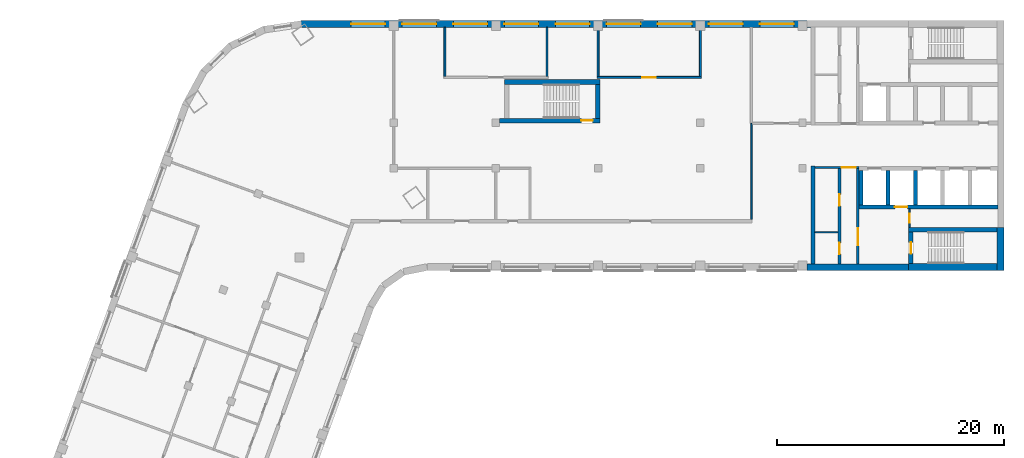
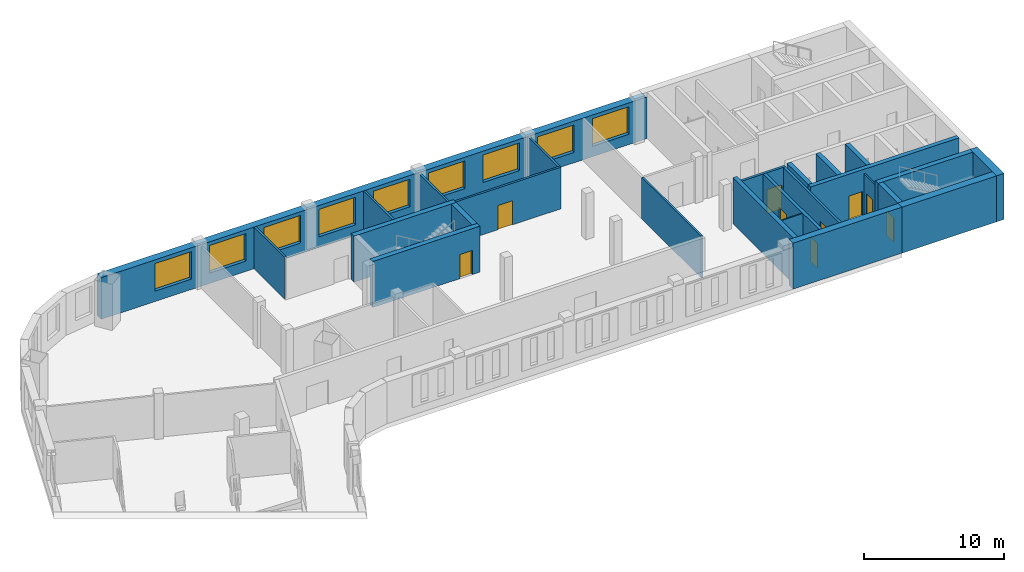
# One storey, part 5 of 8: 25 walls, 9 doors, 9 windows, 18 openings.
"""IFC4 building model written with IfcOpenShell, lengths in metres."""

import ifcopenshell
import ifcopenshell.guid

model = None  # the IFC model being written
_history = None  # IfcOwnerHistory: only IFC2X3 demands one
_inside = {}  # id of a spatial element -> (the spatial element, [elements in it])
_under = {}  # id of a project, library or spatial element -> (it, [spatial elements below it])
_declared = {}  # id of a project -> (the project, [libraries it declares])
_typed = {}  # id of a type object -> (the type object, [elements of that type])
_made_of = {}  # id of a material, layer set ... -> (it, [elements and type objects made of it])


def new_model(schema):
    """Start an empty IFC model of exactly this schema.

    Asked for "IFC4X3", IfcOpenShell would pick the latest addendum, in which some entities
    have other attributes; the version numbers below select the first issue.
    IFC2X3 requires an IfcOwnerHistory on every rooted entity: one is made here for all.
    """
    global model, _history
    if schema == "IFC4X3":
        model = ifcopenshell.file(schema_version=(4, 3, 0, 0))
    else:
        model = ifcopenshell.file(schema=schema)
    _inside.clear()
    _under.clear()
    _declared.clear()
    _typed.clear()
    _made_of.clear()
    _history = None
    if model.schema == "IFC2X3":
        org = make("IfcOrganization", Name="unknown")
        user = make(
            "IfcPersonAndOrganization",
            ThePerson=make("IfcPerson", FamilyName="unknown"),
            TheOrganization=org,
        )
        app = make(
            "IfcApplication",
            ApplicationDeveloper=org,
            Version="unknown",
            ApplicationFullName="unknown",
            ApplicationIdentifier="unknown",
        )
        _history = make(
            "IfcOwnerHistory",
            OwningUser=user,
            OwningApplication=app,
            ChangeAction="ADDED",
            CreationDate=0,
        )
    return model


def make(cls, **values):
    """One entity of the class cls with the attributes given. An attribute that is None is left unset."""
    return model.create_entity(
        cls, **{name: value for name, value in values.items() if value is not None}
    )


def rooted(cls, **values):
    """An entity with a GlobalId (a new one), such as an element, a storey or a relation."""
    return make(cls, GlobalId=ifcopenshell.guid.new(), OwnerHistory=_history, **values)


def si_unit(unit_type, name, prefix=None):
    """IfcSIUnit, for example si_unit("LENGTHUNIT", "METRE", prefix="MILLI")."""
    return make("IfcSIUnit", UnitType=unit_type, Prefix=prefix, Name=name)


def assignment(units):
    """IfcUnitAssignment: the units of a project."""
    return None if units is None else make("IfcUnitAssignment", Units=units)


def point(xyz):
    """IfcCartesianPoint."""
    return None if xyz is None else make("IfcCartesianPoint", Coordinates=xyz)


def direction(xyz):
    """IfcDirection."""
    return None if xyz is None else make("IfcDirection", DirectionRatios=xyz)


def frame(location, z_axis=None, x_axis=None):
    """IfcAxis2Placement3D, a coordinate frame: its origin and axes. An axis left out is left unset."""
    return make(
        "IfcAxis2Placement3D",
        Location=point(location),
        Axis=direction(z_axis),
        RefDirection=direction(x_axis),
    )


def frame_2d(location, x_axis=None):
    """IfcAxis2Placement2D, a coordinate frame in the plane: its origin and x axis."""
    return make(
        "IfcAxis2Placement2D", Location=point(location), RefDirection=direction(x_axis)
    )


def origin():
    """The frame at (0, 0, 0) with its axes left unset."""
    return frame((0.0, 0.0, 0.0))


def place(relative_to, where):
    """IfcLocalPlacement: puts the frame where relative to a parent placement (None: the world)."""
    return make(
        "IfcLocalPlacement", PlacementRelTo=relative_to, RelativePlacement=where
    )


def context(
    kind, dimensions, precision=None, world=None, true_north=None, identifier=None
):
    """IfcGeometricRepresentationContext, for example the 3D "Model" context."""
    return make(
        "IfcGeometricRepresentationContext",
        ContextIdentifier=identifier,
        ContextType=kind,
        CoordinateSpaceDimension=dimensions,
        Precision=precision,
        WorldCoordinateSystem=world,
        TrueNorth=true_north,
    )


def subcontext(parent, identifier, kind, view, scale=None):
    """IfcGeometricRepresentationSubContext, for example "Body" below "Model"."""
    return make(
        "IfcGeometricRepresentationSubContext",
        ContextIdentifier=identifier,
        ContextType=kind,
        ParentContext=parent,
        TargetScale=scale,
        TargetView=view,
    )


def project(units=None, contexts=None):
    """IfcProject with its units and contexts."""
    return rooted(
        "IfcProject",
        Name="project",
        RepresentationContexts=contexts,
        UnitsInContext=assignment(units),
    )


def spatial(cls, under=None, at=None, **own):
    """A site, building, storey or space (cls), placed at a placement, below another one or the project."""
    s = rooted(cls, ObjectPlacement=at, **own)
    if under is not None:
        _under.setdefault(under.id(), (under, []))[1].append(s)
    return s


def profile(cls, at=None, kind="AREA", **sizes):
    """A parametric profile (cls). Its sizes go by their IFC names, for example OverallWidth=200.0."""
    return make(cls, ProfileType=kind, Position=at, **sizes)


def rectangle(**sizes):
    """IfcRectangleProfileDef."""
    return profile("IfcRectangleProfileDef", **sizes)


def extrude(swept, where, along, depth):
    """IfcExtrudedAreaSolid: the profile swept, set in the frame where, extruded along a direction by depth."""
    return make(
        "IfcExtrudedAreaSolid",
        SweptArea=swept,
        Position=where,
        ExtrudedDirection=direction(along),
        Depth=depth,
    )


def shape(context_of_items, identifier, shape_type, items):
    """IfcShapeRepresentation: the items that make up one representation, for example the "Body"."""
    return make(
        "IfcShapeRepresentation",
        ContextOfItems=context_of_items,
        RepresentationIdentifier=identifier,
        RepresentationType=shape_type,
        Items=items,
    )


def material(Name=None, Category=None):
    """IfcMaterial."""
    return make("IfcMaterial", Name=Name, Category=Category)


def layer(
    of_material, thickness, ventilated=None, Name=None, Category=None, Priority=None
):
    """IfcMaterialLayer: one layer of a wall or slab, of a material (None: an air gap)."""
    return make(
        "IfcMaterialLayer",
        Material=of_material,
        LayerThickness=thickness,
        IsVentilated=ventilated,
        Name=Name,
        Category=Category,
        Priority=Priority,
    )


def layer_set(layers, Name=None):
    """IfcMaterialLayerSet."""
    return make("IfcMaterialLayerSet", MaterialLayers=layers, LayerSetName=Name)


def made_of(thing, what):
    """Note that an element or type object is made of a material, layer set ...; save() writes the relation."""
    if what is not None:
        _made_of.setdefault(what.id(), (what, []))[1].append(thing)
    return thing


def type_object(cls, material=None, **own):
    """A type object (cls), such as IfcWallType, which elements share."""
    return made_of(rooted(cls, **own), material)


def element(
    cls,
    number,
    at=None,
    inside=None,
    cuts=None,
    type_object=None,
    material=None,
    context=None,
    identifier="Body",
    shape_type=None,
    held_by="IfcProductDefinitionShape",
    body=None,
    shapes=None,
    **own,
):
    """One element of the class cls, such as IfcWall. Its Tag is "e" and its number.

    at: its placement. inside: the storey or other place that contains it. cuts: it is an
    opening in that element (IfcRelVoidsElement). A single representation is given by context,
    identifier, shape_type and body (its items); several are given by shapes. held_by: the class
    of the entity that holds the representations. save() writes the other relations.
    """
    e = rooted(cls, Tag="e%d" % number, ObjectPlacement=at, **own)
    if body is not None:
        shapes = [shape(context, identifier, shape_type, body)]
    if shapes is not None:
        e.Representation = make(held_by, Representations=shapes)
    if inside is not None:
        _inside.setdefault(inside.id(), (inside, []))[1].append(e)
    if cuts is not None:
        rooted(
            "IfcRelVoidsElement", RelatingBuildingElement=cuts, RelatedOpeningElement=e
        )
    if type_object is not None:
        _typed.setdefault(type_object.id(), (type_object, []))[1].append(e)
    return made_of(e, material)


def fill(opening, filler):
    """IfcRelFillsElement: the door or window that sits in an opening."""
    return rooted(
        "IfcRelFillsElement",
        RelatingOpeningElement=opening,
        RelatedBuildingElement=filler,
    )


def aggregate(whole, parts):
    """IfcRelAggregates: a whole, such as a stair, and the parts it consists of."""
    return rooted("IfcRelAggregates", RelatingObject=whole, RelatedObjects=parts)


def save(model, path):
    """Write the relations noted so far, then the file.

    IfcRelAggregates (storeys below a building ...), IfcRelContainedInSpatialStructure (elements
    in a storey), IfcRelDefinesByType, IfcRelAssociatesMaterial and IfcRelDeclares: one each for
    every whole, place, type object, material and project.
    """
    for whole, parts in _under.values():
        aggregate(whole, parts)
    for where, things in _inside.values():
        rooted(
            "IfcRelContainedInSpatialStructure",
            RelatedElements=things,
            RelatingStructure=where,
        )
    for kind, things in _typed.values():
        rooted("IfcRelDefinesByType", RelatedObjects=things, RelatingType=kind)
    for what, things in _made_of.values():
        rooted("IfcRelAssociatesMaterial", RelatedObjects=things, RelatingMaterial=what)
    for by, libraries in _declared.values():
        rooted("IfcRelDeclares", RelatingContext=by, RelatedDefinitions=libraries)
    model.write(path)


model = new_model("IFC4")

# Units and contexts
model_context = context("Model", 3, precision=1e-05, world=origin(), true_north=direction((0.0, 1.0)))
body_context = subcontext(model_context, "Body", "Model", "MODEL_VIEW")
ifc_project = project(units=[si_unit("LENGTHUNIT", "METRE"), si_unit("AREAUNIT", "SQUARE_METRE"), si_unit("VOLUMEUNIT", "CUBIC_METRE"), si_unit("PLANEANGLEUNIT", "RADIAN"), si_unit("MASSUNIT", "GRAM", prefix="KILO")], contexts=[model_context])

# Site, building, storey
site_placement = place(None, origin())
site = spatial("IfcSite", under=ifc_project, at=site_placement, CompositionType="ELEMENT")
building_placement = place(site_placement, origin())
building = spatial("IfcBuilding", under=site, at=building_placement, Name="Skarvind Civic Tower", CompositionType="ELEMENT")
storey_placement = place(building_placement, frame((0.0, 0.0, 170.5)))
storey = spatial("IfcBuildingStorey", under=building, at=storey_placement, Name="L40", CompositionType="ELEMENT", Elevation=170.5)

# Walls
ifc_material_1 = material(Name="Acoustic gypsum board on steel studs", Category="steel")
ifc_layer_1 = layer(ifc_material_1, 0.175048828125)
ifc_layer_set_1 = layer_set([ifc_layer_1], Name="ACOUSTIC MEETING-ROOM PARTITION 175")
wall_type_1 = type_object("IfcWallType", Name="ACOUSTIC MEETING-ROOM PARTITION 175", PredefinedType="PARTITIONING", material=ifc_layer_set_1)
for number, where, z_axis, x_axis, name in (
    (1, (58.75, 134.087890625, 0.0), (0.0, 0.0, 1.0), (0.0, 1.0, 0.0), "Partition 40.033"),
    (2, (67.75, 138.39990234375, 0.0), (0.0, 0.0, 1.0), (0.0, -1.0, 0.0), "Partition 40.039"),
    (3, (72.25, 134.087890625, 0.0), (0.0, 0.0, 1.0), (0.0, 1.0, 0.0), "Partition 40.040"),
):
    element("IfcWall", number, at=place(storey_placement, frame(where, z_axis=z_axis, x_axis=x_axis)), inside=storey, type_object=wall_type_1, Name=name, PredefinedType="PARTITIONING", context=body_context, shape_type="SweptSolid", body=[
        extrude(rectangle(XDim=4.31201171875, YDim=0.175048828125, at=frame_2d((2.156005859375, 0.0))), origin(), (0.0, 0.0, 1.0), 3.625),
    ])

# Wall, opening, door
wall_1_placement = place(storey_placement, frame((81.337890625, 134.0, 0.0), z_axis=(0.0, 0.0, 1.0), x_axis=(-1.0, 0.0, 0.0)))
wall_1 = element("IfcWall", 4, at=wall_1_placement, inside=storey, type_object=wall_type_1, Name="Partition 40.041", PredefinedType="PARTITIONING", context=body_context, shape_type="SweptSolid", body=[
    extrude(rectangle(XDim=9.17578125, YDim=0.175048828125, at=frame_2d((4.587890625, 0.0))), origin(), (0.0, 0.0, 1.0), 3.625),
])
opening_1_placement = place(wall_1_placement, frame((3.988037109375, 0.0, 0.0)))
opening_1 = element("IfcOpeningElement", 5, at=opening_1_placement, cuts=wall_1, Name="Opening L40-D004", PredefinedType="OPENING", context=body_context, shape_type="SweptSolid", body=[
    extrude(rectangle(XDim=1.199951171875, YDim=2.10009765625, at=frame_2d((0.60009765625, 1.050048828125))), frame((0.0, 0.097412109375, 0.0), z_axis=(0.0, -1.0, 0.0), x_axis=(1.0, 0.0, 0.0)), (0.0, 0.0, 1.0), 0.195068359375),
])
ifc_material_2 = material(Name="Timber door leaf", Category="wood")
door_type_1 = type_object("IfcDoorType", Name="DOOR 1200X2100 DOUBLE TIMBER", OperationType="NOTDEFINED", PredefinedType="DOOR", material=ifc_material_2)
door_1_placement = place(opening_1_placement, origin())
door_1 = element("IfcDoor", 6, at=door_1_placement, inside=storey, type_object=door_type_1, Name="Door L40-D004", OperationType="DOUBLE_DOOR_SINGLE_SWING", OverallHeight=2.10009765625, OverallWidth=1.199951171875, PredefinedType="DOOR", context=body_context, shape_type="SweptSolid", body=[
    extrude(rectangle(XDim=1.199951171875, YDim=2.10009765625, at=frame_2d((0.60009765625, 1.050048828125))), frame((0.0, 0.02490234375, 0.0), z_axis=(0.0, -1.0, 0.0), x_axis=(1.0, 0.0, 0.0)), (0.0, 0.0, 1.0), 0.050048828125),
])
fill(opening_1, door_1)

# Wall
wall_2_placement = place(storey_placement, frame((81.25, 138.39990234375, 0.0), z_axis=(0.0, 0.0, 1.0), x_axis=(0.0, -1.0, 0.0)))
element("IfcWall", 7, at=wall_2_placement, inside=storey, type_object=wall_type_1, Name="Partition 40.042", PredefinedType="PARTITIONING", context=body_context, shape_type="SweptSolid", body=[
    extrude(rectangle(XDim=4.31201171875, YDim=0.175048828125, at=frame_2d((2.156005859375, 0.0))), origin(), (0.0, 0.0, 1.0), 3.625),
])

# Wall, opening, door
ifc_material_3 = material(Name="Fire-rated masonry partition", Category="masonry")
ifc_layer_2 = layer(ifc_material_3, 0.199951171875)
ifc_layer_set_2 = layer_set([ifc_layer_2], Name="Core enclosure wall 200")
wall_type_2 = type_object("IfcWallType", Name="Core enclosure wall 200", PredefinedType="PARTITIONING", material=ifc_layer_set_2)
wall_3_placement = place(storey_placement, frame((95.22509765625, 126.074951171875, 0.0), z_axis=(0.0, 0.0, 1.0), x_axis=(-1.0, 0.0, 0.0)))
wall_3 = element("IfcWall", 8, at=wall_3_placement, inside=storey, type_object=wall_type_2, Name="Core wall C1", PredefinedType="PARTITIONING", context=body_context, shape_type="SweptSolid", body=[
    extrude(rectangle(XDim=3.875, YDim=0.199951171875, at=frame_2d((1.9375, 0.0))), origin(), (0.0, 0.0, 1.0), 3.625),
])
opening_2_placement = place(wall_3_placement, frame((0.300048828125, 0.0, 0.0)))
opening_2 = element("IfcOpeningElement", 9, at=opening_2_placement, cuts=wall_3, Name="Opening D-L40-C1-07", PredefinedType="OPENING", context=body_context, shape_type="SweptSolid", body=[
    extrude(rectangle(XDim=1.199951171875, YDim=2.10009765625, at=frame_2d((0.60009765625, 1.050048828125))), frame((0.0, 0.10986328125, 0.0), z_axis=(0.0, -1.0, 0.0), x_axis=(1.0, 0.0, 0.0)), (0.0, 0.0, 1.0), 0.219970703125),
])
ifc_material_4 = material(Name="Fire-rated steel door", Category="steel")
door_type_2 = type_object("IfcDoorType", Name="Core lobby door 1200", OperationType="NOTDEFINED", PredefinedType="DOOR", material=ifc_material_4)
door_2_placement = place(opening_2_placement, origin())
door_2 = element("IfcDoor", 10, at=door_2_placement, inside=storey, type_object=door_type_2, Name="Fire door", OperationType="DOUBLE_DOOR_SINGLE_SWING", OverallHeight=2.10009765625, OverallWidth=1.199951171875, PredefinedType="DOOR", context=body_context, shape_type="SweptSolid", body=[
    extrude(rectangle(XDim=1.199951171875, YDim=2.10009765625, at=frame_2d((0.60009765625, 1.050048828125))), frame((0.0, 0.02490234375, 0.0), z_axis=(0.0, -1.0, 0.0), x_axis=(1.0, 0.0, 0.0)), (0.0, 0.0, 1.0), 0.050048828125),
])
fill(opening_2, door_2)

wall_4_placement = place(storey_placement, frame((95.125, 117.550048828125, 0.0), z_axis=(0.0, 0.0, 1.0), x_axis=(0.0, 1.0, 0.0)))
wall_4 = element("IfcWall", 11, at=wall_4_placement, inside=storey, type_object=wall_type_2, Name="Core wall C1", PredefinedType="PARTITIONING", context=body_context, shape_type="SweptSolid", body=[
    extrude(rectangle(XDim=8.425048828125, YDim=0.199951171875, at=frame_2d((4.21240234375, 0.0))), origin(), (0.0, 0.0, 1.0), 3.625),
])
opening_3_placement = place(wall_4_placement, frame((1.6875, 0.0, 0.0)))
opening_3 = element("IfcOpeningElement", 12, at=opening_3_placement, cuts=wall_4, Name="Opening D-L40-C1-08", PredefinedType="OPENING", context=body_context, shape_type="SweptSolid", body=[
    extrude(rectangle(XDim=1.5, YDim=2.10009765625, at=frame_2d((0.75, 1.050048828125))), frame((0.0, 0.10986328125, 0.0), z_axis=(0.0, -1.0, 0.0), x_axis=(1.0, 0.0, 0.0)), (0.0, 0.0, 1.0), 0.219970703125),
])
door_type_3 = type_object("IfcDoorType", Name="Fire door 1500", OperationType="NOTDEFINED", PredefinedType="DOOR", material=ifc_material_4)
door_3_placement = place(opening_3_placement, origin())
door_3 = element("IfcDoor", 13, at=door_3_placement, inside=storey, type_object=door_type_3, Name="Fire door", OperationType="DOUBLE_DOOR_SINGLE_SWING", OverallHeight=2.10009765625, OverallWidth=1.5, PredefinedType="DOOR", context=body_context, shape_type="SweptSolid", body=[
    extrude(rectangle(XDim=1.5, YDim=2.10009765625, at=frame_2d((0.75, 1.050048828125))), frame((0.0, 0.02490234375, 0.0), z_axis=(0.0, -1.0, 0.0), x_axis=(1.0, 0.0, 0.0)), (0.0, 0.0, 1.0), 0.050048828125),
])
fill(opening_3, door_3)

# Wall
ifc_material_5 = material(Name="Fire-rated plasterboard partition")
ifc_layer_3 = layer(ifc_material_5, 0.10009765625)
ifc_layer_set_3 = layer_set([ifc_layer_3], Name="Core partition wall 100")
wall_type_3 = type_object("IfcWallType", Name="Core partition wall 100", PredefinedType="PARTITIONING", material=ifc_layer_set_3)
wall_5_placement = place(storey_placement, frame((93.375, 120.360107421875, 0.0), z_axis=(0.0, 0.0, 1.0), x_axis=(-1.0, 0.0, 0.0)))
element("IfcWall", 14, at=wall_5_placement, inside=storey, type_object=wall_type_3, Name="Core wall C1", PredefinedType="PARTITIONING", context=body_context, shape_type="SweptSolid", body=[
    extrude(rectangle(XDim=2.02490234375, YDim=0.10009765625, at=frame_2d((1.012451171875, 0.0))), origin(), (0.0, 0.0, 1.0), 3.625),
])

# Wall, opening, door
ifc_material_6 = material(Name="Concrete C60", Category="concrete")
ifc_layer_4 = layer(ifc_material_6, 0.35009765625)
ifc_layer_set_4 = layer_set([ifc_layer_4], Name="Core wall 350 C60")
wall_type_4 = type_object("IfcWallType", Name="Core wall 350 C60", PredefinedType="SHEAR", material=ifc_layer_set_4)
wall_6_placement = place(storey_placement, frame((107.449951171875, 122.60009765625, 0.0), z_axis=(0.0, 0.0, 1.0), x_axis=(-1.0, 0.0, 0.0)))
wall_6 = element("IfcWall", 15, at=wall_6_placement, inside=storey, type_object=wall_type_4, Name="Core wall C1 north lift row back L40", PredefinedType="SHEAR", context=body_context, shape_type="SweptSolid", body=[
    extrude(rectangle(XDim=12.224853515625, YDim=0.35009765625, at=frame_2d((6.1123046875, 0.0))), origin(), (0.0, 0.0, 1.0), 4.0),
])
opening_4_placement = place(wall_6_placement, frame((7.949951171875, 0.0, 0.0)))
opening_4 = element("IfcOpeningElement", 16, at=opening_4_placement, cuts=wall_6, Name="Opening LD42104", PredefinedType="OPENING", context=body_context, shape_type="SweptSolid", body=[
    extrude(rectangle(XDim=1.10009765625, YDim=2.10009765625, at=frame_2d((0.550048828125, 1.050048828125))), frame((0.0, 0.18505859375, 0.0), z_axis=(0.0, -1.0, 0.0), x_axis=(1.0, 0.0, 0.0)), (0.0, 0.0, 1.0), 0.3701171875),
])
ifc_material_7 = material(Name="Stainless steel landing door", Category="steel")
door_type_4 = type_object("IfcDoorType", Name="Lift landing door 1100", OperationType="DOUBLE_DOOR_SLIDING", PredefinedType="DOOR", material=ifc_material_7)
door_4_placement = place(opening_4_placement, origin())
door_4 = element("IfcDoor", 17, at=door_4_placement, inside=storey, type_object=door_type_4, Name="Lift landing door", OperationType="DOUBLE_DOOR_SLIDING", OverallHeight=2.10009765625, OverallWidth=1.10009765625, PredefinedType="DOOR", context=body_context, shape_type="SweptSolid", body=[
    extrude(rectangle(XDim=1.10009765625, YDim=2.10009765625, at=frame_2d((0.550048828125, 1.050048828125))), frame((0.0, 0.02490234375, 0.0), z_axis=(0.0, -1.0, 0.0), x_axis=(1.0, 0.0, 0.0)), (0.0, 0.0, 1.0), 0.050048828125),
])
fill(opening_4, door_4)

# Walls
for number, where, z_axis, x_axis, name in (
    (18, (100.199951171875, 125.824951171875, 0.0), (0.0, 0.0, 1.0), (0.0, -1.0, 0.0), "Core wall C1 north lift row division 3 L40"),
    (19, (97.800048828125, 125.824951171875, 0.0), (0.0, 0.0, 1.0), (0.0, -1.0, 0.0), "Core wall C1 north lift row division 4 L40"),
    (20, (95.39990234375, 125.824951171875, 0.0), (0.0, 0.0, 1.0), (0.0, -1.0, 0.0), "Core wall C1 north lift row division 5 L40"),
):
    element("IfcWall", number, at=place(storey_placement, frame(where, z_axis=z_axis, x_axis=x_axis)), inside=storey, type_object=wall_type_4, Name=name, PredefinedType="SHEAR", context=body_context, shape_type="SweptSolid", body=[
        extrude(rectangle(XDim=3.050048828125, YDim=0.35009765625, at=frame_2d((1.52490234375, 0.0))), origin(), (0.0, 0.0, 1.0), 4.0),
    ])
wall_7_placement = place(storey_placement, frame((91.175048828125, 126.199951171875, 0.0), z_axis=(0.0, 0.0, 1.0), x_axis=(0.0, -1.0, 0.0)))
element("IfcWall", 21, at=wall_7_placement, inside=storey, type_object=wall_type_4, Name="Core wall C1 north inner face L40", PredefinedType="SHEAR", context=body_context, shape_type="SweptSolid", body=[
    extrude(rectangle(XDim=8.64990234375, YDim=0.35009765625, at=frame_2d((4.324951171875, 0.0))), origin(), (0.0, 0.0, 1.0), 4.0),
])
ifc_layer_5 = layer(ifc_material_6, 0.39990234375)
ifc_layer_set_5 = layer_set([ifc_layer_5], Name="Core wall 400 C60")
wall_type_5 = type_object("IfcWallType", Name="Core wall 400 C60", PredefinedType="SHEAR", material=ifc_layer_set_5)
wall_8_placement = place(storey_placement, frame((107.39990234375, 120.60009765625, 0.0), z_axis=(0.0, 0.0, 1.0), x_axis=(-1.0, 0.0, 0.0)))
element("IfcWall", 22, at=wall_8_placement, inside=storey, type_object=wall_type_5, Name="Core wall C1 north stair inner L40", PredefinedType="SHEAR", context=body_context, shape_type="SweptSolid", body=[
    extrude(rectangle(XDim=7.7998046875, YDim=0.39990234375, at=frame_2d((3.89990234375, 0.0))), origin(), (0.0, 0.0, 1.0), 4.0),
])

# Wall, opening, door
wall_9_placement = place(storey_placement, frame((99.800048828125, 120.39990234375, 0.0), z_axis=(0.0, 0.0, 1.0), x_axis=(0.0, -1.0, 0.0)))
wall_9 = element("IfcWall", 23, at=wall_9_placement, inside=storey, type_object=wall_type_5, Name="Core wall C1 north stair end L40", PredefinedType="SHEAR", context=body_context, shape_type="SweptSolid", body=[
    extrude(rectangle(XDim=2.7998046875, YDim=0.39990234375, at=frame_2d((1.39990234375, 0.0))), origin(), (0.0, 0.0, 1.0), 4.0),
])
opening_5_placement = place(wall_9_placement, frame((0.925048828125, 0.0, 0.0)))
opening_5 = element("IfcOpeningElement", 24, at=opening_5_placement, cuts=wall_9, Name="Opening D-L40-C1-09", PredefinedType="OPENING", context=body_context, shape_type="SweptSolid", body=[
    extrude(rectangle(XDim=1.0, YDim=2.10009765625, at=frame_2d((0.5, 1.050048828125))), frame((0.0, 0.2099609375, 0.0), z_axis=(0.0, -1.0, 0.0), x_axis=(1.0, 0.0, 0.0)), (0.0, 0.0, 1.0), 0.419921875),
])
door_type_5 = type_object("IfcDoorType", Name="Fire door 1000", OperationType="NOTDEFINED", PredefinedType="DOOR", material=ifc_material_4)
door_5_placement = place(opening_5_placement, origin())
door_5 = element("IfcDoor", 25, at=door_5_placement, inside=storey, type_object=door_type_5, Name="Fire door", OperationType="SINGLE_SWING_LEFT", OverallHeight=2.10009765625, OverallWidth=1.0, PredefinedType="DOOR", context=body_context, shape_type="SweptSolid", body=[
    extrude(rectangle(XDim=1.0, YDim=2.10009765625, at=frame_2d((0.5, 1.050048828125))), frame((0.0, 0.02490234375, 0.0), z_axis=(0.0, -1.0, 0.0), x_axis=(1.0, 0.0, 0.0)), (0.0, 0.0, 1.0), 0.050048828125),
])
fill(opening_5, door_5)

wall_10_placement = place(storey_placement, frame((63.574951171875, 130.199951171875, 0.0), z_axis=(0.0, 0.0, 1.0), x_axis=(1.0, 0.0, 0.0)))
wall_10 = element("IfcWall", 26, at=wall_10_placement, inside=storey, type_object=wall_type_5, Name="Core wall CM inner L40", PredefinedType="SHEAR", context=body_context, shape_type="SweptSolid", body=[
    extrude(rectangle(XDim=8.824951171875, YDim=0.39990234375, at=frame_2d((4.41259765625, 0.0))), origin(), (0.0, 0.0, 1.0), 4.0),
])
opening_6_placement = place(wall_10_placement, frame((7.199951171875, 0.0, 0.0)))
opening_6 = element("IfcOpeningElement", 27, at=opening_6_placement, cuts=wall_10, Name="Opening D-L40-CM-01", PredefinedType="OPENING", context=body_context, shape_type="SweptSolid", body=[
    extrude(rectangle(XDim=1.0, YDim=2.10009765625, at=frame_2d((0.5, 1.050048828125))), frame((0.0, 0.2099609375, 0.0), z_axis=(0.0, -1.0, 0.0), x_axis=(1.0, 0.0, 0.0)), (0.0, 0.0, 1.0), 0.419921875),
])
door_6_placement = place(opening_6_placement, origin())
door_6 = element("IfcDoor", 28, at=door_6_placement, inside=storey, type_object=door_type_5, Name="Fire door", OperationType="SINGLE_SWING_LEFT", OverallHeight=2.10009765625, OverallWidth=1.0, PredefinedType="DOOR", context=body_context, shape_type="SweptSolid", body=[
    extrude(rectangle(XDim=1.0, YDim=2.10009765625, at=frame_2d((0.5, 1.050048828125))), frame((0.0, 0.02490234375, 0.0), z_axis=(0.0, -1.0, 0.0), x_axis=(1.0, 0.0, 0.0)), (0.0, 0.0, 1.0), 0.050048828125),
])
fill(opening_6, door_6)

# Walls
wall_11_placement = place(storey_placement, frame((64.0, 133.60009765625, 0.0), z_axis=(0.0, 0.0, 1.0), x_axis=(1.0, 0.0, 0.0)))
element("IfcWall", 29, at=wall_11_placement, inside=storey, type_object=wall_type_5, Name="Core wall CM outer L40", PredefinedType="SHEAR", context=body_context, shape_type="SweptSolid", body=[
    extrude(rectangle(XDim=8.39990234375, YDim=0.39990234375, at=frame_2d((4.199951171875, 0.0))), origin(), (0.0, 0.0, 1.0), 4.0),
])
wall_12_placement = place(storey_placement, frame((72.199951171875, 130.39990234375, 0.0), z_axis=(0.0, 0.0, 1.0), x_axis=(0.0, 1.0, 0.0)))
element("IfcWall", 30, at=wall_12_placement, inside=storey, type_object=wall_type_5, Name="Core wall CM end L40", PredefinedType="SHEAR", context=body_context, shape_type="SweptSolid", body=[
    extrude(rectangle(XDim=3.0, YDim=0.39990234375, at=frame_2d((1.5, 0.0))), origin(), (0.0, 0.0, 1.0), 4.0),
])
ifc_layer_6 = layer(ifc_material_6, 0.550048828125)
ifc_layer_set_6 = layer_set([ifc_layer_6], Name="Core wall 550 C60")
wall_type_6 = type_object("IfcWallType", Name="Core wall 550 C60", PredefinedType="SHEAR", material=ifc_layer_set_6)
wall_13_placement = place(storey_placement, frame((99.60009765625, 117.27490234375, 0.0), z_axis=(0.0, 0.0, 1.0), x_axis=(-1.0, 0.0, 0.0)))
element("IfcWall", 31, at=wall_13_placement, inside=storey, type_object=wall_type_6, Name="Core wall C1 north side L40", PredefinedType="SHEAR", context=body_context, shape_type="SweptSolid", body=[
    extrude(rectangle(XDim=8.9501953125, YDim=0.550048828125, at=frame_2d((4.47509765625, 0.0))), origin(), (0.0, 0.0, 1.0), 4.0),
])
ifc_layer_7 = layer(ifc_material_6, 0.60009765625)
ifc_layer_set_7 = layer_set([ifc_layer_7], Name="Core wall 600 C60")
wall_type_7 = type_object("IfcWallType", Name="Core wall 600 C60", PredefinedType="SHEAR", material=ifc_layer_set_7)
wall_14_placement = place(storey_placement, frame((107.699951171875, 120.800048828125, 0.0), z_axis=(0.0, 0.0, 1.0), x_axis=(0.0, -1.0, 0.0)))
element("IfcWall", 32, at=wall_14_placement, inside=storey, type_object=wall_type_7, Name="Core wall C1 tip at the north stair L40", PredefinedType="SHEAR", context=body_context, shape_type="SweptSolid", body=[
    extrude(rectangle(XDim=3.800048828125, YDim=0.60009765625, at=frame_2d((1.89990234375, 0.0))), origin(), (0.0, 0.0, 1.0), 4.0),
])
wall_15_placement = place(storey_placement, frame((107.39990234375, 117.300048828125, 0.0), z_axis=(0.0, 0.0, 1.0), x_axis=(-1.0, 0.0, 0.0)))
element("IfcWall", 33, at=wall_15_placement, inside=storey, type_object=wall_type_7, Name="Core wall C1 north side at the stair L40", PredefinedType="SHEAR", context=body_context, shape_type="SweptSolid", body=[
    extrude(rectangle(XDim=7.7998046875, YDim=0.60009765625, at=frame_2d((3.89990234375, 0.0))), origin(), (0.0, 0.0, 1.0), 4.0),
])
ifc_material_8 = material(Name="Plasterboard partition on steel studs", Category="steel")
ifc_layer_8 = layer(ifc_material_8, 0.14990234375)
ifc_layer_set_8 = layer_set([ifc_layer_8], Name="PARTITION 150")
wall_type_8 = type_object("IfcWallType", Name="PARTITION 150", PredefinedType="PARTITIONING", material=ifc_layer_set_8)
wall_16_placement = place(storey_placement, frame((85.75, 121.5, 0.0), z_axis=(0.0, 0.0, 1.0), x_axis=(0.0, 1.0, 0.0)))
element("IfcWall", 34, at=wall_16_placement, inside=storey, type_object=wall_type_8, Name="Partition 40.043", PredefinedType="PARTITIONING", context=body_context, shape_type="SweptSolid", body=[
    extrude(rectangle(XDim=8.449951171875, YDim=0.14990234375, at=frame_2d((4.22509765625, 0.0))), origin(), (0.0, 0.0, 1.0), 3.625),
])

# Wall, opening, door
ifc_layer_9 = layer(ifc_material_3, 0.125)
ifc_layer_set_9 = layer_set([ifc_layer_9], Name="Riser wall 125")
wall_type_9 = type_object("IfcWallType", Name="Riser wall 125", PredefinedType="PARTITIONING", material=ifc_layer_set_9)
wall_17_placement = place(storey_placement, frame((99.66259765625, 120.800048828125, 0.0), z_axis=(0.0, 0.0, 1.0), x_axis=(0.0, 1.0, 0.0)))
wall_17 = element("IfcWall", 35, at=wall_17_placement, inside=storey, type_object=wall_type_9, Name="Core wall C1", PredefinedType="PARTITIONING", context=body_context, shape_type="SweptSolid", body=[
    extrude(rectangle(XDim=1.625, YDim=0.125, at=frame_2d((0.8125, 0.0))), origin(), (0.0, 0.0, 1.0), 3.625),
])
opening_7_placement = place(wall_17_placement, frame((0.41259765625, 0.0, 0.0)))
opening_7 = element("IfcOpeningElement", 36, at=opening_7_placement, cuts=wall_17, Name="Opening D-L40-C1-10", PredefinedType="OPENING", context=body_context, shape_type="SweptSolid", body=[
    extrude(rectangle(XDim=0.800048828125, YDim=2.10009765625, at=frame_2d((0.39990234375, 1.050048828125))), frame((0.0, 0.072509765625, 0.0), z_axis=(0.0, -1.0, 0.0), x_axis=(1.0, 0.0, 0.0)), (0.0, 0.0, 1.0), 0.14501953125),
])
door_type_6 = type_object("IfcDoorType", Name="Core riser door 800", OperationType="NOTDEFINED", PredefinedType="DOOR", material=ifc_material_4)
door_7_placement = place(opening_7_placement, origin())
door_7 = element("IfcDoor", 37, at=door_7_placement, inside=storey, type_object=door_type_6, Name="Riser door", OperationType="SINGLE_SWING_RIGHT", OverallHeight=2.10009765625, OverallWidth=0.800048828125, PredefinedType="DOOR", context=body_context, shape_type="SweptSolid", body=[
    extrude(rectangle(XDim=0.800048828125, YDim=2.10009765625, at=frame_2d((0.39990234375, 1.050048828125))), frame((0.0, 0.02490234375, 0.0), z_axis=(0.0, -1.0, 0.0), x_axis=(1.0, 0.0, 0.0)), (0.0, 0.0, 1.0), 0.050048828125),
])
fill(opening_7, door_7)

# Wall, openings, doors
ifc_layer_10 = layer(ifc_material_3, 0.25)
ifc_layer_set_10 = layer_set([ifc_layer_10], Name="Service block wall 250")
wall_type_10 = type_object("IfcWallType", Name="Service block wall 250", PredefinedType="PARTITIONING", material=ifc_layer_set_10)
wall_18_placement = place(storey_placement, frame((93.5, 117.550048828125, 0.0), z_axis=(0.0, 0.0, 1.0), x_axis=(0.0, 1.0, 0.0)))
wall_18 = element("IfcWall", 38, at=wall_18_placement, inside=storey, type_object=wall_type_10, Name="Core wall C1", PredefinedType="PARTITIONING", context=body_context, shape_type="SweptSolid", body=[
    extrude(rectangle(XDim=8.425048828125, YDim=0.25, at=frame_2d((4.21240234375, 0.0))), origin(), (0.0, 0.0, 1.0), 3.625),
])
opening_8_placement = place(wall_18_placement, frame((5.142578125, 0.0, 0.0)))
opening_8 = element("IfcOpeningElement", 39, at=opening_8_placement, cuts=wall_18, Name="Opening D-L40-C1-11", PredefinedType="OPENING", context=body_context, shape_type="SweptSolid", body=[
    extrude(rectangle(XDim=1.0, YDim=2.10009765625, at=frame_2d((0.5, 1.050048828125))), frame((0.0, 0.135009765625, 0.0), z_axis=(0.0, -1.0, 0.0), x_axis=(1.0, 0.0, 0.0)), (0.0, 0.0, 1.0), 0.27001953125),
])
opening_9_placement = place(wall_18_placement, frame((0.8798828125, 0.0, 0.0)))
opening_9 = element("IfcOpeningElement", 40, at=opening_9_placement, cuts=wall_18, Name="Opening D-L40-C1-12", PredefinedType="OPENING", context=body_context, shape_type="SweptSolid", body=[
    extrude(rectangle(XDim=1.0, YDim=2.10009765625, at=frame_2d((0.5, 1.050048828125))), frame((0.0, 0.135009765625, 0.0), z_axis=(0.0, -1.0, 0.0), x_axis=(1.0, 0.0, 0.0)), (0.0, 0.0, 1.0), 0.27001953125),
])
door_8_placement = place(opening_8_placement, origin())
door_8 = element("IfcDoor", 41, at=door_8_placement, inside=storey, type_object=door_type_5, Name="Fire door", OperationType="SINGLE_SWING_LEFT", OverallHeight=2.10009765625, OverallWidth=1.0, PredefinedType="DOOR", context=body_context, shape_type="SweptSolid", body=[
    extrude(rectangle(XDim=1.0, YDim=2.10009765625, at=frame_2d((0.5, 1.050048828125))), frame((0.0, 0.02490234375, 0.0), z_axis=(0.0, -1.0, 0.0), x_axis=(1.0, 0.0, 0.0)), (0.0, 0.0, 1.0), 0.050048828125),
])
fill(opening_8, door_8)
door_9_placement = place(opening_9_placement, origin())
door_9 = element("IfcDoor", 42, at=door_9_placement, inside=storey, type_object=door_type_5, Name="Fire door", OperationType="SINGLE_SWING_RIGHT", OverallHeight=2.10009765625, OverallWidth=1.0, PredefinedType="DOOR", context=body_context, shape_type="SweptSolid", body=[
    extrude(rectangle(XDim=1.0, YDim=2.10009765625, at=frame_2d((0.5, 1.050048828125))), frame((0.0, 0.02490234375, 0.0), z_axis=(0.0, -1.0, 0.0), x_axis=(1.0, 0.0, 0.0)), (0.0, 0.0, 1.0), 0.050048828125),
])
fill(opening_9, door_9)

# Wall, openings, windows
ifc_material_9 = material(Name="Limestone masonry cladding on insulated backing", Category="masonry")
ifc_layer_11 = layer(ifc_material_9, 0.60009765625)
ifc_layer_set_11 = layer_set([ifc_layer_11], Name="WX1 STONE FACADE WALL 600")
wall_type_11 = type_object("IfcWallType", Name="WX1 STONE FACADE WALL 600", PredefinedType="SOLIDWALL", material=ifc_layer_set_11)
wall_19_placement = place(storey_placement, frame((46.095458984375, 138.699951171875, 0.0), z_axis=(0.0, 0.0, 1.0), x_axis=(1.0, 0.0, 0.0)))
wall_19 = element("IfcWall", 43, at=wall_19_placement, inside=storey, type_object=wall_type_11, Name="STONE FACADE WALL", PredefinedType="SOLIDWALL", context=body_context, shape_type="SweptSolid", body=[
    extrude(rectangle(XDim=44.884521484375, YDim=0.60009765625, at=frame_2d((22.4423828125, 0.0))), origin(), (0.0, 0.0, 1.0), 3.625),
])
opening_10_placement = place(wall_19_placement, frame((4.404541015625, 0.0, 0.89990234375)))
opening_10 = element("IfcOpeningElement", 44, at=opening_10_placement, cuts=wall_19, Name="Opening WN1", PredefinedType="OPENING", context=body_context, shape_type="SweptSolid", body=[
    extrude(rectangle(XDim=3.0, YDim=2.39990234375, at=frame_2d((1.5, 1.199951171875))), frame((0.0, 0.31005859375, 0.0), z_axis=(0.0, -1.0, 0.0), x_axis=(1.0, 0.0, 0.0)), (0.0, 0.0, 1.0), 0.6201171875),
])
opening_11_placement = place(wall_19_placement, frame((8.904541015625, 0.0, 0.89990234375)))
opening_11 = element("IfcOpeningElement", 45, at=opening_11_placement, cuts=wall_19, Name="Opening WN1", PredefinedType="OPENING", context=body_context, shape_type="SweptSolid", body=[
    extrude(rectangle(XDim=3.0, YDim=2.39990234375, at=frame_2d((1.5, 1.199951171875))), frame((0.0, 0.31005859375, 0.0), z_axis=(0.0, -1.0, 0.0), x_axis=(1.0, 0.0, 0.0)), (0.0, 0.0, 1.0), 0.6201171875),
])
opening_12_placement = place(wall_19_placement, frame((13.404541015625, 0.0, 0.89990234375)))
opening_12 = element("IfcOpeningElement", 46, at=opening_12_placement, cuts=wall_19, Name="Opening WN1", PredefinedType="OPENING", context=body_context, shape_type="SweptSolid", body=[
    extrude(rectangle(XDim=3.0, YDim=2.39990234375, at=frame_2d((1.5, 1.199951171875))), frame((0.0, 0.31005859375, 0.0), z_axis=(0.0, -1.0, 0.0), x_axis=(1.0, 0.0, 0.0)), (0.0, 0.0, 1.0), 0.6201171875),
])
opening_13_placement = place(wall_19_placement, frame((17.904541015625, 0.0, 0.89990234375)))
opening_13 = element("IfcOpeningElement", 47, at=opening_13_placement, cuts=wall_19, Name="Opening WN1", PredefinedType="OPENING", context=body_context, shape_type="SweptSolid", body=[
    extrude(rectangle(XDim=3.0, YDim=2.39990234375, at=frame_2d((1.5, 1.199951171875))), frame((0.0, 0.31005859375, 0.0), z_axis=(0.0, -1.0, 0.0), x_axis=(1.0, 0.0, 0.0)), (0.0, 0.0, 1.0), 0.6201171875),
])
opening_14_placement = place(wall_19_placement, frame((22.404541015625, 0.0, 0.89990234375)))
opening_14 = element("IfcOpeningElement", 48, at=opening_14_placement, cuts=wall_19, Name="Opening WN1", PredefinedType="OPENING", context=body_context, shape_type="SweptSolid", body=[
    extrude(rectangle(XDim=3.0, YDim=2.39990234375, at=frame_2d((1.5, 1.199951171875))), frame((0.0, 0.31005859375, 0.0), z_axis=(0.0, -1.0, 0.0), x_axis=(1.0, 0.0, 0.0)), (0.0, 0.0, 1.0), 0.6201171875),
])
opening_15_placement = place(wall_19_placement, frame((26.904541015625, 0.0, 0.89990234375)))
opening_15 = element("IfcOpeningElement", 49, at=opening_15_placement, cuts=wall_19, Name="Opening WN1", PredefinedType="OPENING", context=body_context, shape_type="SweptSolid", body=[
    extrude(rectangle(XDim=3.0, YDim=2.39990234375, at=frame_2d((1.5, 1.199951171875))), frame((0.0, 0.31005859375, 0.0), z_axis=(0.0, -1.0, 0.0), x_axis=(1.0, 0.0, 0.0)), (0.0, 0.0, 1.0), 0.6201171875),
])
opening_16_placement = place(wall_19_placement, frame((31.404541015625, 0.0, 0.89990234375)))
opening_16 = element("IfcOpeningElement", 50, at=opening_16_placement, cuts=wall_19, Name="Opening WN1", PredefinedType="OPENING", context=body_context, shape_type="SweptSolid", body=[
    extrude(rectangle(XDim=3.0, YDim=2.39990234375, at=frame_2d((1.5, 1.199951171875))), frame((0.0, 0.31005859375, 0.0), z_axis=(0.0, -1.0, 0.0), x_axis=(1.0, 0.0, 0.0)), (0.0, 0.0, 1.0), 0.6201171875),
])
opening_17_placement = place(wall_19_placement, frame((35.904541015625, 0.0, 0.89990234375)))
opening_17 = element("IfcOpeningElement", 51, at=opening_17_placement, cuts=wall_19, Name="Opening WN1", PredefinedType="OPENING", context=body_context, shape_type="SweptSolid", body=[
    extrude(rectangle(XDim=3.0, YDim=2.39990234375, at=frame_2d((1.5, 1.199951171875))), frame((0.0, 0.31005859375, 0.0), z_axis=(0.0, -1.0, 0.0), x_axis=(1.0, 0.0, 0.0)), (0.0, 0.0, 1.0), 0.6201171875),
])
opening_18_placement = place(wall_19_placement, frame((40.404541015625, 0.0, 0.89990234375)))
opening_18 = element("IfcOpeningElement", 52, at=opening_18_placement, cuts=wall_19, Name="Opening WN1", PredefinedType="OPENING", context=body_context, shape_type="SweptSolid", body=[
    extrude(rectangle(XDim=3.0, YDim=2.39990234375, at=frame_2d((1.5, 1.199951171875))), frame((0.0, 0.31005859375, 0.0), z_axis=(0.0, -1.0, 0.0), x_axis=(1.0, 0.0, 0.0)), (0.0, 0.0, 1.0), 0.6201171875),
])
ifc_material_10 = material(Name="Timber frame, double glazing, timber-lined reveal", Category="wood")
window_type = type_object("IfcWindowType", Name="WN1 PUNCHED STONE WINDOW 3000 x 2400", PartitioningType="SINGLE_PANEL", PredefinedType="WINDOW", material=ifc_material_10)
window_1_placement = place(opening_10_placement, origin())
window_1 = element("IfcWindow", 53, at=window_1_placement, inside=storey, type_object=window_type, Name="WN1 WINDOW", OverallHeight=2.39990234375, OverallWidth=3.0, PartitioningType="SINGLE_PANEL", PredefinedType="WINDOW", context=body_context, shape_type="SweptSolid", body=[
    extrude(rectangle(XDim=3.0, YDim=2.39990234375, at=frame_2d((1.5, 1.199951171875))), frame((0.0, 0.030029296875, 0.0), z_axis=(0.0, -1.0, 0.0), x_axis=(1.0, 0.0, 0.0)), (0.0, 0.0, 1.0), 0.06005859375),
])
fill(opening_10, window_1)
window_2_placement = place(opening_11_placement, origin())
window_2 = element("IfcWindow", 54, at=window_2_placement, inside=storey, type_object=window_type, Name="WN1 WINDOW", OverallHeight=2.39990234375, OverallWidth=3.0, PartitioningType="SINGLE_PANEL", PredefinedType="WINDOW", context=body_context, shape_type="SweptSolid", body=[
    extrude(rectangle(XDim=3.0, YDim=2.39990234375, at=frame_2d((1.5, 1.199951171875))), frame((0.0, 0.030029296875, 0.0), z_axis=(0.0, -1.0, 0.0), x_axis=(1.0, 0.0, 0.0)), (0.0, 0.0, 1.0), 0.06005859375),
])
fill(opening_11, window_2)
window_3_placement = place(opening_12_placement, origin())
window_3 = element("IfcWindow", 55, at=window_3_placement, inside=storey, type_object=window_type, Name="WN1 WINDOW", OverallHeight=2.39990234375, OverallWidth=3.0, PartitioningType="SINGLE_PANEL", PredefinedType="WINDOW", context=body_context, shape_type="SweptSolid", body=[
    extrude(rectangle(XDim=3.0, YDim=2.39990234375, at=frame_2d((1.5, 1.199951171875))), frame((0.0, 0.030029296875, 0.0), z_axis=(0.0, -1.0, 0.0), x_axis=(1.0, 0.0, 0.0)), (0.0, 0.0, 1.0), 0.06005859375),
])
fill(opening_12, window_3)
window_4_placement = place(opening_13_placement, origin())
window_4 = element("IfcWindow", 56, at=window_4_placement, inside=storey, type_object=window_type, Name="WN1 WINDOW", OverallHeight=2.39990234375, OverallWidth=3.0, PartitioningType="SINGLE_PANEL", PredefinedType="WINDOW", context=body_context, shape_type="SweptSolid", body=[
    extrude(rectangle(XDim=3.0, YDim=2.39990234375, at=frame_2d((1.5, 1.199951171875))), frame((0.0, 0.030029296875, 0.0), z_axis=(0.0, -1.0, 0.0), x_axis=(1.0, 0.0, 0.0)), (0.0, 0.0, 1.0), 0.06005859375),
])
fill(opening_13, window_4)
window_5_placement = place(opening_14_placement, origin())
window_5 = element("IfcWindow", 57, at=window_5_placement, inside=storey, type_object=window_type, Name="WN1 WINDOW", OverallHeight=2.39990234375, OverallWidth=3.0, PartitioningType="SINGLE_PANEL", PredefinedType="WINDOW", context=body_context, shape_type="SweptSolid", body=[
    extrude(rectangle(XDim=3.0, YDim=2.39990234375, at=frame_2d((1.5, 1.199951171875))), frame((0.0, 0.030029296875, 0.0), z_axis=(0.0, -1.0, 0.0), x_axis=(1.0, 0.0, 0.0)), (0.0, 0.0, 1.0), 0.06005859375),
])
fill(opening_14, window_5)
window_6_placement = place(opening_15_placement, origin())
window_6 = element("IfcWindow", 58, at=window_6_placement, inside=storey, type_object=window_type, Name="WN1 WINDOW", OverallHeight=2.39990234375, OverallWidth=3.0, PartitioningType="SINGLE_PANEL", PredefinedType="WINDOW", context=body_context, shape_type="SweptSolid", body=[
    extrude(rectangle(XDim=3.0, YDim=2.39990234375, at=frame_2d((1.5, 1.199951171875))), frame((0.0, 0.030029296875, 0.0), z_axis=(0.0, -1.0, 0.0), x_axis=(1.0, 0.0, 0.0)), (0.0, 0.0, 1.0), 0.06005859375),
])
fill(opening_15, window_6)
window_7_placement = place(opening_16_placement, origin())
window_7 = element("IfcWindow", 59, at=window_7_placement, inside=storey, type_object=window_type, Name="WN1 WINDOW", OverallHeight=2.39990234375, OverallWidth=3.0, PartitioningType="SINGLE_PANEL", PredefinedType="WINDOW", context=body_context, shape_type="SweptSolid", body=[
    extrude(rectangle(XDim=3.0, YDim=2.39990234375, at=frame_2d((1.5, 1.199951171875))), frame((0.0, 0.030029296875, 0.0), z_axis=(0.0, -1.0, 0.0), x_axis=(1.0, 0.0, 0.0)), (0.0, 0.0, 1.0), 0.06005859375),
])
fill(opening_16, window_7)
window_8_placement = place(opening_17_placement, origin())
window_8 = element("IfcWindow", 60, at=window_8_placement, inside=storey, type_object=window_type, Name="WN1 WINDOW", OverallHeight=2.39990234375, OverallWidth=3.0, PartitioningType="SINGLE_PANEL", PredefinedType="WINDOW", context=body_context, shape_type="SweptSolid", body=[
    extrude(rectangle(XDim=3.0, YDim=2.39990234375, at=frame_2d((1.5, 1.199951171875))), frame((0.0, 0.030029296875, 0.0), z_axis=(0.0, -1.0, 0.0), x_axis=(1.0, 0.0, 0.0)), (0.0, 0.0, 1.0), 0.06005859375),
])
fill(opening_17, window_8)
window_9_placement = place(opening_18_placement, origin())
window_9 = element("IfcWindow", 61, at=window_9_placement, inside=storey, type_object=window_type, Name="WN1 WINDOW", OverallHeight=2.39990234375, OverallWidth=3.0, PartitioningType="SINGLE_PANEL", PredefinedType="WINDOW", context=body_context, shape_type="SweptSolid", body=[
    extrude(rectangle(XDim=3.0, YDim=2.39990234375, at=frame_2d((1.5, 1.199951171875))), frame((0.0, 0.030029296875, 0.0), z_axis=(0.0, -1.0, 0.0), x_axis=(1.0, 0.0, 0.0)), (0.0, 0.0, 1.0), 0.06005859375),
])
fill(opening_18, window_9)

save(model, "model.ifc")
